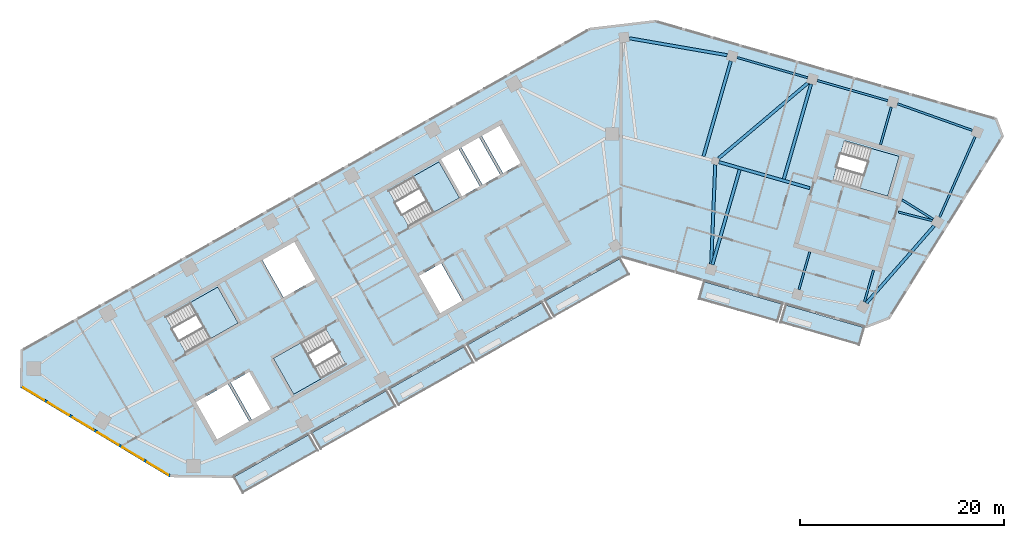
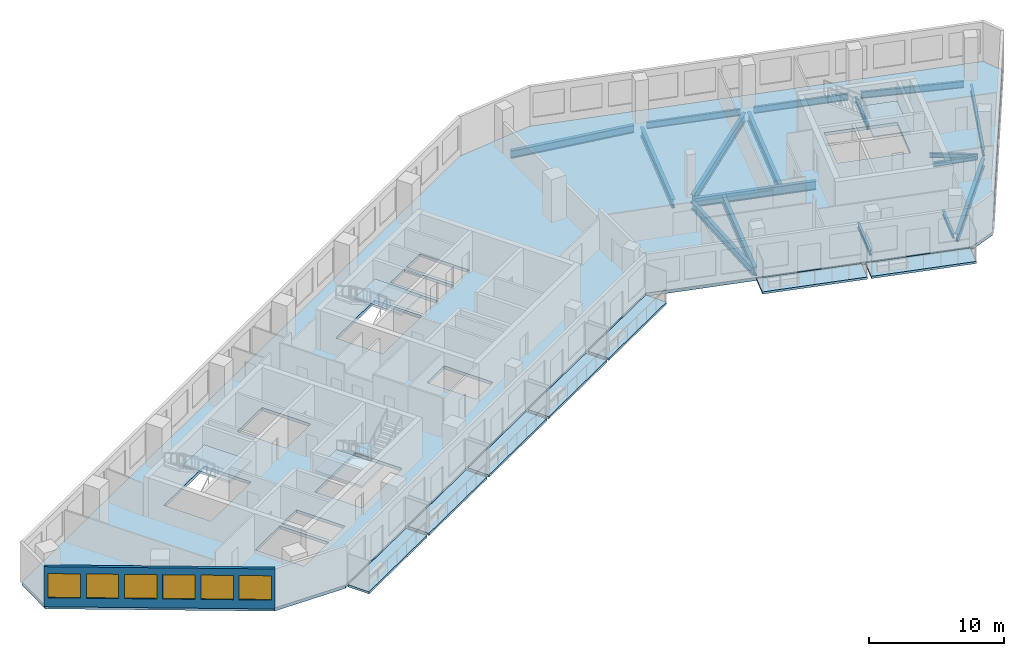
# One storey, part 2 of 11: 17 beams, 12 slabs, 6 windows, 1 wall, 6 openings, 4 elements without a shape of their own.
"""IFC4 building model written with IfcOpenShell, lengths in metres."""

from ifc_helpers import new_model, si_unit, direction, frame, frame_2d, origin, origin_2d, place, context, subcontext, project, spatial, polyline, rectangle, i_section, outline, extrude, material, layer, layer_set, material_profile, profile_set, type_object, element, fill, aggregate, save


model = new_model("IFC4")

# Units and contexts
model_context = context("Model", 3, precision=1e-05, world=origin(), true_north=direction((0.0, 1.0)))
body_context = subcontext(model_context, "Body", "Model", "MODEL_VIEW")
ifc_project = project(units=[si_unit("LENGTHUNIT", "METRE"), si_unit("AREAUNIT", "SQUARE_METRE"), si_unit("VOLUMEUNIT", "CUBIC_METRE"), si_unit("PLANEANGLEUNIT", "RADIAN"), si_unit("MASSUNIT", "GRAM", prefix="KILO")], contexts=[model_context])

# Site, building, storey
site_placement = place(None, origin())
site = spatial("IfcSite", under=ifc_project, at=site_placement, CompositionType="ELEMENT")
building_placement = place(site_placement, origin())
building = spatial("IfcBuilding", under=site, at=building_placement, Name="Binnacle Exchange Tower", CompositionType="ELEMENT")
storey_placement = place(building_placement, frame((0.0, 0.0, 219.199951171875)))
storey = spatial("IfcBuildingStorey", under=building, at=storey_placement, Name="L48", CompositionType="ELEMENT", Elevation=219.199951171875)

# Beams
ifc_material_1 = material(Name="Steel S355 (SHN355)", Category="steel")
ifc_material_profile_1 = material_profile(ifc_material_1, i_section(OverallWidth=0.199951171875, OverallDepth=0.60009765625, WebThickness=0.010986328125, FlangeThickness=0.01708984375, FilletRadius=0.02197265625, at=origin_2d()), Name="H 600x200x11x17")
ifc_profile_set_1 = profile_set([ifc_material_profile_1], Name="Steel S355 (SHN355)")
beam_type_1 = type_object("IfcBeamType", Name="Edge girder H 600x200x11x17 Steel S355 (SHN355)", PredefinedType="SPANDREL", material=ifc_profile_set_1)
beam_1_placement = place(storey_placement, frame((18.265625, 65.513916015625, -0.579833984375), z_axis=(-0.961255050864, 0.275660528891, 0.0), x_axis=(-0.275660528891, -0.961255050864, 0.0)))
element("IfcBeam", 1, at=beam_1_placement, inside=storey, type_object=beam_type_1, Name="S:BM:edge:L48:029", PredefinedType="SPANDREL", context=body_context, shape_type="SweptSolid", body=[
    extrude(i_section(OverallWidth=0.199951171875, OverallDepth=0.60009765625, WebThickness=0.010986328125, FlangeThickness=0.01708984375, FilletRadius=0.02197265625, at=origin_2d()), origin(), (0.0, 0.0, 1.0), 7.1728515625),
])
beam_2_placement = place(storey_placement, frame((26.1220703125, 63.26123046875, -0.579833984375), z_axis=(-0.96126665508, 0.275620060647, 0.0), x_axis=(-0.275620060647, -0.96126665508, 0.0)))
element("IfcBeam", 2, at=beam_2_placement, inside=storey, type_object=beam_type_1, Name="S:BM:edge:L48:031", PredefinedType="SPANDREL", context=body_context, shape_type="SweptSolid", body=[
    extrude(i_section(OverallWidth=0.199951171875, OverallDepth=0.60009765625, WebThickness=0.010986328125, FlangeThickness=0.01708984375, FilletRadius=0.02197265625, at=origin_2d()), origin(), (0.0, 0.0, 1.0), 7.173095703125),
])
ifc_material_profile_2 = material_profile(ifc_material_1, i_section(OverallWidth=0.200927734375, OverallDepth=0.60595703125, WebThickness=0.011962890625, FlangeThickness=0.02001953125, FilletRadius=0.02197265625, at=origin_2d()), Name="H 606x201x12x20")
ifc_profile_set_2 = profile_set([ifc_material_profile_2], Name="Steel S355 (SHN355)")
beam_type_2 = type_object("IfcBeamType", Name="Edge girder H 606x201x12x20 Steel S355 (SHN355)", PredefinedType="SPANDREL", material=ifc_profile_set_2)
beam_3_placement = place(storey_placement, frame((34.3984375, 60.3544921875, -0.5830078125), z_axis=(-0.942323270608, 0.334704128553, 0.0), x_axis=(-0.334704128553, -0.942323270608, 0.0)))
element("IfcBeam", 3, at=beam_3_placement, inside=storey, type_object=beam_type_2, Name="S:BM:edge:L48:033", PredefinedType="SPANDREL", context=body_context, shape_type="SweptSolid", body=[
    extrude(i_section(OverallWidth=0.200927734375, OverallDepth=0.60595703125, WebThickness=0.011962890625, FlangeThickness=0.02001953125, FilletRadius=0.02197265625, at=origin_2d()), origin(), (0.0, 0.0, 1.0), 7.77197265625),
])
ifc_material_profile_3 = material_profile(ifc_material_1, i_section(OverallWidth=0.201904296875, OverallDepth=0.612060546875, WebThickness=0.012939453125, FlangeThickness=0.02294921875, FilletRadius=0.02197265625, at=origin_2d()), Name="H 612x202x13x23")
ifc_profile_set_3 = profile_set([ifc_material_profile_3], Name="Steel S355 (SHN355)")
beam_type_3 = type_object("IfcBeamType", Name="Edge girder H 612x202x13x23 Steel S355 (SHN355)", PredefinedType="SPANDREL", material=ifc_profile_set_3)
beam_4_placement = place(storey_placement, frame((31.193359375, 51.848388671875, -0.5859375), z_axis=(0.403459457176, 0.914997522628, 0.0), x_axis=(-0.914997522628, 0.403459457176, 0.0)))
element("IfcBeam", 4, at=beam_4_placement, inside=storey, type_object=beam_type_3, Name="S:BM:edge:L48:032", PredefinedType="SPANDREL", context=body_context, shape_type="SweptSolid", body=[
    extrude(i_section(OverallWidth=0.201904296875, OverallDepth=0.612060546875, WebThickness=0.012939453125, FlangeThickness=0.02294921875, FilletRadius=0.02197265625, at=origin_2d()), origin(), (0.0, 0.0, 1.0), 8.61328125),
])
ifc_material_profile_4 = material_profile(ifc_material_1, i_section(OverallWidth=0.300048828125, OverallDepth=0.699951171875, WebThickness=0.012939453125, FlangeThickness=0.02392578125, FilletRadius=0.028076171875, at=origin_2d()), Name="H 700x300x13x24")
ifc_profile_set_4 = profile_set([ifc_material_profile_4], Name="Steel S355 (SHN355)")
beam_type_4 = type_object("IfcBeamType", Name="Edge girder H 700x300x13x24 Steel S355 (SHN355)", PredefinedType="SPANDREL", material=ifc_profile_set_4)
beam_5_placement = place(storey_placement, frame((10.39453125, 67.71484375, -0.6298828125), z_axis=(-0.985315512383, 0.170743494921, 0.0), x_axis=(-0.170743494921, -0.985315512383, 0.0)))
element("IfcBeam", 5, at=beam_5_placement, inside=storey, type_object=beam_type_4, Name="S:BM:edge:L48:027", PredefinedType="SPANDREL", context=body_context, shape_type="SweptSolid", body=[
    extrude(i_section(OverallWidth=0.300048828125, OverallDepth=0.699951171875, WebThickness=0.012939453125, FlangeThickness=0.02392578125, FilletRadius=0.028076171875, at=origin_2d()), origin(), (0.0, 0.0, 1.0), 9.72314453125),
])
beam_6_placement = place(storey_placement, frame((24.026123046875, 43.44580078125, -0.6298828125), z_axis=(0.659336218273, 0.751848223562, 0.0), x_axis=(-0.751848223562, 0.659336218273, 0.0)))
element("IfcBeam", 6, at=beam_6_placement, inside=storey, type_object=beam_type_4, Name="S:BM:edge:L48:030", PredefinedType="SPANDREL", context=body_context, shape_type="SweptSolid", body=[
    extrude(i_section(OverallWidth=0.300048828125, OverallDepth=0.699951171875, WebThickness=0.012939453125, FlangeThickness=0.02392578125, FilletRadius=0.028076171875, at=origin_2d()), origin(), (0.0, 0.0, 1.0), 10.0546875),
])
ifc_material_profile_5 = material_profile(ifc_material_1, i_section(OverallWidth=0.199951171875, OverallDepth=0.39990234375, WebThickness=0.008056640625, FlangeThickness=0.012939453125, FilletRadius=0.01611328125, at=origin_2d()), Name="H 400x200x8x13")
ifc_profile_set_5 = profile_set([ifc_material_profile_5], Name="Steel S355 (SHN355)")
beam_type_5 = type_object("IfcBeamType", Name="Floor beam H 400x200x8x13 Steel S355 (SHN355)", PredefinedType="BEAM", material=ifc_profile_set_5)
beam_7_placement = place(storey_placement, frame((23.832275390625, 43.55810546875, -0.47998046875), z_axis=(0.275607869103, 0.961270150628, 0.0), x_axis=(-0.961270150628, 0.275607869103, 0.0)))
element("IfcBeam", 7, at=beam_7_placement, inside=storey, type_object=beam_type_5, Name="S:BM:cross:L48:051", PredefinedType="BEAM", context=body_context, shape_type="SweptSolid", body=[
    extrude(i_section(OverallWidth=0.199951171875, OverallDepth=0.39990234375, WebThickness=0.008056640625, FlangeThickness=0.012939453125, FilletRadius=0.01611328125, at=origin_2d()), origin(), (0.0, 0.0, 1.0), 3.23583984375),
])
beam_8_placement = place(storey_placement, frame((30.5654296875, 51.6513671875, -0.47998046875), z_axis=(-0.848078408173, 0.529870751779, 0.0), x_axis=(-0.529870751779, -0.848078408173, 0.0)))
element("IfcBeam", 8, at=beam_8_placement, inside=storey, type_object=beam_type_5, Name="S:BM:cross:L48:053", PredefinedType="BEAM", context=body_context, shape_type="SweptSolid", body=[
    extrude(i_section(OverallWidth=0.199951171875, OverallDepth=0.39990234375, WebThickness=0.008056640625, FlangeThickness=0.012939453125, FilletRadius=0.01611328125, at=origin_2d()), origin(), (0.0, 0.0, 1.0), 3.59521484375),
])
ifc_material_profile_6 = material_profile(ifc_material_1, i_section(OverallWidth=0.199951171875, OverallDepth=0.449951171875, WebThickness=0.009033203125, FlangeThickness=0.013916015625, FilletRadius=0.01806640625, at=origin_2d()), Name="H 450x200x9x14")
ifc_profile_set_6 = profile_set([ifc_material_profile_6], Name="Steel S355 (SHN355)")
beam_type_6 = type_object("IfcBeamType", Name="Floor beam H 450x200x9x14 Steel S355 (SHN355)", PredefinedType="BEAM", material=ifc_profile_set_6)
for number, where, z_axis, x_axis, name in (
    (9, (17.426025390625, 44.771728515625, -0.5048828125), (0.27564586602, 0.961259255636, 0.0), (-0.961259255636, 0.27564586602, 0.0), "S:BM:cross:L48:049"),
    (10, (26.46484375, 62.642822265625, -0.5048828125), (-0.27564586602, -0.961259255636, 0.0), (0.961259255636, -0.27564586602, 0.0), "S:BM:cross:L48:052"),
):
    element("IfcBeam", number, at=place(storey_placement, frame(where, z_axis=z_axis, x_axis=x_axis)), inside=storey, type_object=beam_type_6, Name=name, PredefinedType="BEAM", context=body_context, shape_type="SweptSolid", body=[
        extrude(i_section(OverallWidth=0.199951171875, OverallDepth=0.449951171875, WebThickness=0.009033203125, FlangeThickness=0.013916015625, FilletRadius=0.01806640625, at=origin_2d()), origin(), (0.0, 0.0, 1.0), 3.835205078125),
    ])
ifc_material_profile_7 = material_profile(ifc_material_1, i_section(OverallWidth=0.300048828125, OverallDepth=0.800048828125, WebThickness=0.013916015625, FlangeThickness=0.02587890625, FilletRadius=0.028076171875, at=origin_2d()), Name="H 800x300x14x26")
ifc_profile_set_7 = profile_set([ifc_material_profile_7], Name="Steel S355 (SHN355)")
beam_type_7 = type_object("IfcBeamType", Name="Floor beam H 800x300x14x26 Steel S355 (SHN355)", PredefinedType="BEAM", material=ifc_profile_set_7)
beam_9_placement = place(storey_placement, frame((8.947265625, 47.202880859375, -0.679931640625), z_axis=(0.275643212873, 0.961260016435, 0.0), x_axis=(-0.961260016435, 0.275643212873, 0.0)))
element("IfcBeam", 11, at=beam_9_placement, inside=storey, type_object=beam_type_7, Name="S:BM:cross:L48:047", PredefinedType="BEAM", context=body_context, shape_type="SweptSolid", body=[
    extrude(i_section(OverallWidth=0.300048828125, OverallDepth=0.800048828125, WebThickness=0.013916015625, FlangeThickness=0.02587890625, FilletRadius=0.028076171875, at=origin_2d()), origin(), (0.0, 0.0, 1.0), 9.685302734375),
])
beam_10_placement = place(storey_placement, frame((10.752197265625, 67.1484375, -0.679931640625), z_axis=(-0.275623948616, -0.96126554029, 0.0), x_axis=(0.96126554029, -0.275623948616, 0.0)))
element("IfcBeam", 12, at=beam_10_placement, inside=storey, type_object=beam_type_7, Name="S:BM:cross:L48:048", PredefinedType="BEAM", context=body_context, shape_type="SweptSolid", body=[
    extrude(i_section(OverallWidth=0.300048828125, OverallDepth=0.800048828125, WebThickness=0.013916015625, FlangeThickness=0.02587890625, FilletRadius=0.028076171875, at=origin_2d()), origin(), (0.0, 0.0, 1.0), 9.71337890625),
])
beam_11_placement = place(storey_placement, frame((18.6083984375, 64.8955078125, -0.679931640625), z_axis=(-0.275626599208, -0.961264780281, 0.0), x_axis=(0.961264780281, -0.275626599208, 0.0)))
element("IfcBeam", 13, at=beam_11_placement, inside=storey, type_object=beam_type_7, Name="S:BM:cross:L48:050", PredefinedType="BEAM", context=body_context, shape_type="SweptSolid", body=[
    extrude(i_section(OverallWidth=0.300048828125, OverallDepth=0.800048828125, WebThickness=0.013916015625, FlangeThickness=0.02587890625, FilletRadius=0.028076171875, at=origin_2d()), origin(), (0.0, 0.0, 1.0), 9.68505859375),
])
ifc_material_profile_8 = material_profile(ifc_material_1, i_section(OverallWidth=0.199951171875, OverallDepth=0.39990234375, WebThickness=0.008056640625, FlangeThickness=0.012939453125, FilletRadius=0.01611328125, at=origin_2d()), Name="H 400x200x8x13")
ifc_profile_set_8 = profile_set([ifc_material_profile_8], Name="Steel S355 (SHN355)")
beam_type_8 = type_object("IfcBeamType", Name="Spine girder H 400x200x8x13 Steel S355 (SHN355)", PredefinedType="BEAM", material=ifc_profile_set_8)
beam_12_placement = place(storey_placement, frame((27.17138671875, 52.35400390625, -0.47998046875), z_axis=(0.969354959992, -0.245664326957, 0.0), x_axis=(0.245664326957, 0.969354959992, 0.0)))
element("IfcBeam", 14, at=beam_12_placement, inside=storey, type_object=beam_type_8, Name="S:BM:spine:L48:010", PredefinedType="BEAM", context=body_context, shape_type="SweptSolid", body=[
    extrude(i_section(OverallWidth=0.199951171875, OverallDepth=0.39990234375, WebThickness=0.008056640625, FlangeThickness=0.012939453125, FilletRadius=0.01611328125, at=origin_2d()), origin(), (0.0, 0.0, 1.0), 3.41357421875),
])
ifc_material_profile_9 = material_profile(ifc_material_1, i_section(OverallWidth=0.300048828125, OverallDepth=0.699951171875, WebThickness=0.012939453125, FlangeThickness=0.02392578125, FilletRadius=0.028076171875, at=origin_2d()), Name="H 700x300x13x24")
ifc_profile_set_9 = profile_set([ifc_material_profile_9], Name="Steel S355 (SHN355)")
beam_type_9 = type_object("IfcBeamType", Name="Spine girder H 700x300x13x24 Steel S355 (SHN355)", PredefinedType="BEAM", material=ifc_profile_set_9)
beam_13_placement = place(storey_placement, frame((9.226318359375, 56.990234375, -0.6298828125), z_axis=(-0.040566314933, -0.999176848257, 0.0), x_axis=(0.999176848257, -0.040566314933, 0.0)))
element("IfcBeam", 15, at=beam_13_placement, inside=storey, type_object=beam_type_9, Name="S:BM:spine:L48:007", PredefinedType="BEAM", context=body_context, shape_type="SweptSolid", body=[
    extrude(i_section(OverallWidth=0.300048828125, OverallDepth=0.699951171875, WebThickness=0.012939453125, FlangeThickness=0.02392578125, FilletRadius=0.028076171875, at=origin_2d()), origin(), (0.0, 0.0, 1.0), 9.76171875),
])
ifc_material_profile_10 = material_profile(ifc_material_1, i_section(OverallWidth=0.300048828125, OverallDepth=0.800048828125, WebThickness=0.013916015625, FlangeThickness=0.02587890625, FilletRadius=0.028076171875, at=origin_2d()), Name="H 800x300x14x26")
ifc_profile_set_10 = profile_set([ifc_material_profile_10], Name="Steel S355 (SHN355)")
beam_type_10 = type_object("IfcBeamType", Name="Spine girder H 800x300x14x26 Steel S355 (SHN355)", PredefinedType="BEAM", material=ifc_profile_set_10)
beam_14_placement = place(storey_placement, frame((9.577392578125, 57.253662109375, -0.679931640625), z_axis=(0.961262936931, -0.275633027924, 0.0), x_axis=(0.275633027924, 0.961262936931, 0.0)))
element("IfcBeam", 16, at=beam_14_placement, inside=storey, type_object=beam_type_10, Name="S:BM:spine:L48:009", PredefinedType="BEAM", context=body_context, shape_type="SweptSolid", body=[
    extrude(i_section(OverallWidth=0.300048828125, OverallDepth=0.800048828125, WebThickness=0.013916015625, FlangeThickness=0.02587890625, FilletRadius=0.028076171875, at=origin_2d()), origin(), (0.0, 0.0, 1.0), 9.26318359375),
])
ifc_material_profile_11 = material_profile(ifc_material_1, i_section(OverallWidth=0.302001953125, OverallDepth=0.80810546875, WebThickness=0.01611328125, FlangeThickness=0.030029296875, FilletRadius=0.028076171875, at=origin_2d()), Name="H 808x302x16x30")
ifc_profile_set_11 = profile_set([ifc_material_profile_11], Name="Steel S355 (SHN355)")
beam_type_11 = type_object("IfcBeamType", Name="Spine girder H 808x302x16x30 Steel S355 (SHN355)", PredefinedType="BEAM", material=ifc_profile_set_11)
beam_15_placement = place(storey_placement, frame((9.562744140625, 57.6220703125, -0.683837890625), z_axis=(0.764068797706, 0.645134770704, 0.0), x_axis=(-0.645134770704, 0.764068797706, 0.0)))
element("IfcBeam", 17, at=beam_15_placement, inside=storey, type_object=beam_type_11, Name="S:BM:spine:L48:008", PredefinedType="BEAM", context=body_context, shape_type="SweptSolid", body=[
    extrude(i_section(OverallWidth=0.302001953125, OverallDepth=0.80810546875, WebThickness=0.01611328125, FlangeThickness=0.030029296875, FilletRadius=0.028076171875, at=origin_2d()), origin(), (0.0, 0.0, 1.0), 11.417236328125),
])

# Slabs
ifc_material_2 = material(Name="Concrete C35/45", Category="concrete")
ifc_layer_1 = layer(ifc_material_2, 0.199951171875)
ifc_layer_set_1 = layer_set([ifc_layer_1], Name="BALCONY SLAB 200")
slab_type_1 = type_object("IfcSlabType", Name="BALCONY SLAB 200", PredefinedType="FLOOR", material=ifc_layer_set_1)
slab_1_placement = place(storey_placement, frame((0.0, 0.0, -0.199951171875)))
element("IfcSlab", 18, at=slab_1_placement, inside=storey, type_object=slab_type_1, Name="Balcony BA-G01-00 L48", PredefinedType="FLOOR", context=body_context, shape_type="SweptSolid", body=[
    extrude(outline(polyline([(-37.90576171875, 26.410400390625), (-30.54736328125, 30.573486328125), (-29.660888671875, 29.0068359375), (-37.019287109375, 24.84375), (-37.90576171875, 26.410400390625)])), origin(), (0.0, 0.0, 1.0), 0.199951171875),
])
slab_2_placement = place(storey_placement, frame((0.0, 0.0, -0.199951171875)))
element("IfcSlab", 19, at=slab_2_placement, inside=storey, type_object=slab_type_1, Name="Balcony BA-G01-01 L48", PredefinedType="FLOOR", context=body_context, shape_type="SweptSolid", body=[
    extrude(outline(polyline([(-30.2861328125, 30.72119140625), (-22.927734375, 34.884521484375), (-22.041259765625, 33.31787109375), (-29.39990234375, 29.15478515625), (-30.2861328125, 30.72119140625)])), origin(), (0.0, 0.0, 1.0), 0.199951171875),
])
slab_3_placement = place(storey_placement, frame((0.0, 0.0, -0.199951171875)))
element("IfcSlab", 20, at=slab_3_placement, inside=storey, type_object=slab_type_1, Name="Balcony BA-G01-02 L48", PredefinedType="FLOOR", context=body_context, shape_type="SweptSolid", body=[
    extrude(outline(polyline([(-22.66650390625, 35.0322265625), (-15.30810546875, 39.195556640625), (-14.421875, 37.62890625), (-21.7802734375, 33.465576171875), (-22.66650390625, 35.0322265625)])), origin(), (0.0, 0.0, 1.0), 0.199951171875),
])
slab_4_placement = place(storey_placement, frame((0.0, 0.0, -0.199951171875)))
element("IfcSlab", 21, at=slab_4_placement, inside=storey, type_object=slab_type_1, Name="Balcony BA-G01-03 L48", PredefinedType="FLOOR", context=body_context, shape_type="SweptSolid", body=[
    extrude(outline(polyline([(-15.047119140625, 39.34326171875), (-7.6884765625, 43.50634765625), (-6.802001953125, 41.939697265625), (-14.16064453125, 37.776611328125), (-15.047119140625, 39.34326171875)])), origin(), (0.0, 0.0, 1.0), 0.199951171875),
])
slab_5_placement = place(storey_placement, frame((0.0, 0.0, -0.199951171875)))
element("IfcSlab", 22, at=slab_5_placement, inside=storey, type_object=slab_type_1, Name="Balcony BA-G01-04 L48", PredefinedType="FLOOR", context=body_context, shape_type="SweptSolid", body=[
    extrude(outline(polyline([(-7.427490234375, 43.654296875), (-0.069091796875, 47.8173828125), (0.8173828125, 46.250732421875), (-6.541015625, 42.08740234375), (-7.427490234375, 43.654296875)])), origin(), (0.0, 0.0, 1.0), 0.199951171875),
])
slab_6_placement = place(storey_placement, frame((0.0, 0.0, -0.199951171875)))
element("IfcSlab", 23, at=slab_6_placement, inside=storey, type_object=slab_type_1, Name="Balcony BA-G02-01 L48", PredefinedType="FLOOR", context=body_context, shape_type="SweptSolid", body=[
    extrude(outline(polyline([(8.10791015625, 45.545166015625), (15.8173828125, 43.33447265625), (15.3212890625, 41.60400390625), (7.61181640625, 43.814697265625), (8.10791015625, 45.545166015625)])), origin(), (0.0, 0.0, 1.0), 0.199951171875),
])
slab_7_placement = place(storey_placement, frame((0.0, 0.0, -0.199951171875)))
element("IfcSlab", 24, at=slab_7_placement, inside=storey, type_object=slab_type_1, Name="Balcony BA-G02-02 L48", PredefinedType="FLOOR", context=body_context, shape_type="SweptSolid", body=[
    extrude(outline(polyline([(16.10595703125, 43.251708984375), (23.815673828125, 41.041015625), (23.319580078125, 39.310791015625), (15.60986328125, 41.521484375), (16.10595703125, 43.251708984375)])), origin(), (0.0, 0.0, 1.0), 0.199951171875),
])
ifc_layer_2 = layer(ifc_material_2, 0.280029296875)
ifc_layer_set_2 = layer_set([ifc_layer_2], Name="Floor slab 280 Concrete C35/45")
slab_type_2 = type_object("IfcSlabType", Name="Floor slab 280 Concrete C35/45", PredefinedType="FLOOR", material=ifc_layer_set_2)
slab_8_placement = place(storey_placement, frame((0.0, 0.0, -0.280029296875)))
element("IfcSlab", 25, at=slab_8_placement, inside=storey, type_object=slab_type_2, Name="S:SL:L48:01", PredefinedType="FLOOR", context=body_context, shape_type="SweptSolid", body=[
    extrude(outline(polyline([(-58.716064453125, 35.280029296875), (-58.669921875, 38.80615234375), (-3.046142578125, 70.276611328125), (3.364501953125, 71.035400390625), (36.71240234375, 61.472900390625), (37.359375, 59.787353515625), (26.23095703125, 41.978515625), (23.994140625, 41.119873046875), (0.0, 48.0), (-38.097900390625, 26.4453125), (-44.14404296875, 26.5244140625), (-58.716064453125, 35.280029296875)]), holes=[polyline([(-38.4794921875, 35.529296875), (-41.61279296875, 33.756591796875), (-39.544677734375, 30.10107421875), (-36.411376953125, 31.873779296875), (-38.4794921875, 35.529296875)]), polyline([(-36.390625, 36.711181640625), (-38.21826171875, 35.677001953125), (-36.150146484375, 32.021484375), (-34.322509765625, 33.0556640625), (-36.390625, 36.711181640625)]), polyline([(-32.04638671875, 34.515625), (-26.9287109375, 37.4111328125), (-28.923095703125, 40.93603515625), (-34.040771484375, 38.04052734375), (-32.04638671875, 34.515625)]), polyline([(-37.486572265625, 41.4912109375), (-39.480712890625, 45.01611328125), (-44.598388671875, 42.12060546875), (-42.604248046875, 38.595703125), (-37.486572265625, 41.4912109375)]), polyline([(-29.914306640625, 45.775390625), (-31.982666015625, 49.430908203125), (-35.115966796875, 47.657958984375), (-33.047607421875, 44.00244140625), (-29.914306640625, 45.775390625)]), polyline([(-17.81689453125, 57.27294921875), (-22.760498046875, 54.47607421875), (-20.76611328125, 50.950927734375), (-15.822509765625, 53.748046875), (-17.81689453125, 57.27294921875)]), polyline([(-15.53076171875, 43.6875), (-17.598876953125, 47.343017578125), (-19.77490234375, 46.11181640625), (-17.70654296875, 42.456298828125), (-15.53076171875, 43.6875)]), polyline([(-13.82080078125, 54.880615234375), (-15.888916015625, 58.5361328125), (-17.629638671875, 57.55126953125), (-15.5615234375, 53.895751953125), (-13.82080078125, 54.880615234375)]), polyline([(27.227783203125, 57.810302734375), (21.864013671875, 59.348388671875), (20.74755859375, 55.455078125), (26.111328125, 53.9169921875), (27.227783203125, 57.810302734375)]), polyline([(-11.819091796875, 56.01318359375), (-13.88720703125, 59.668701171875), (-15.6279296875, 58.683837890625), (-13.559814453125, 55.0283203125), (-11.819091796875, 56.01318359375)]), polyline([(-9.817138671875, 57.145751953125), (-11.885498046875, 60.80126953125), (-13.626220703125, 59.81640625), (-11.557861328125, 56.160888671875), (-9.817138671875, 57.145751953125)])]), origin(), (0.0, 0.0, 1.0), 0.280029296875),
])

# Stair, slab
stair_type = type_object("IfcStairType", Name="STAIR 22 RISERS 177", PredefinedType="HALF_TURN_STAIR", material=ifc_material_2)
stair_1_placement = place(storey_placement, origin())
stair_1 = element("IfcStair", 26, at=stair_1_placement, inside=storey, type_object=stair_type, Name="L48 Escape stair A1", PredefinedType="HALF_TURN_STAIR")
ifc_layer_3 = layer(ifc_material_2, 0.199951171875)
ifc_layer_set_3 = layer_set([ifc_layer_3], Name="STAIR LANDING 200")
slab_type_3 = type_object("IfcSlabType", Name="STAIR LANDING 200", PredefinedType="LANDING", material=ifc_layer_set_3)
slab_9_placement = place(storey_placement, frame((0.0, 0.0, 1.75)))
slab_9 = element("IfcSlab", 27, at=slab_9_placement, type_object=slab_type_3, Name="STA1 landing 1", PredefinedType="LANDING", context=body_context, shape_type="SweptSolid", body=[
    extrude(outline(polyline([(-40.2021484375, 39.954833984375), (-37.486572265625, 41.4912109375), (-39.48095703125, 45.01611328125), (-42.1962890625, 43.479736328125), (-40.2021484375, 39.954833984375)])), origin(), (0.0, 0.0, 1.0), 0.199951171875),
])
aggregate(stair_1, [slab_9])

stair_2_placement = place(storey_placement, origin())
stair_2 = element("IfcStair", 28, at=stair_2_placement, inside=storey, type_object=stair_type, Name="L48 Escape stair A2", PredefinedType="HALF_TURN_STAIR")
slab_10_placement = place(storey_placement, frame((0.0, 0.0, 1.75)))
slab_10 = element("IfcSlab", 29, at=slab_10_placement, type_object=slab_type_3, Name="STA2 landing 1", PredefinedType="LANDING", context=body_context, shape_type="SweptSolid", body=[
    extrude(outline(polyline([(-31.3251953125, 39.576904296875), (-34.040771484375, 38.04052734375), (-32.04638671875, 34.515625), (-29.330810546875, 36.052001953125), (-31.3251953125, 39.576904296875)])), origin(), (0.0, 0.0, 1.0), 0.199951171875),
])
aggregate(stair_2, [slab_10])

stair_3_placement = place(storey_placement, origin())
stair_3 = element("IfcStair", 30, at=stair_3_placement, inside=storey, type_object=stair_type, Name="L48 Escape stair C1", PredefinedType="HALF_TURN_STAIR")
slab_11_placement = place(storey_placement, frame((0.0, 0.0, 1.75)))
slab_11 = element("IfcSlab", 31, at=slab_11_placement, type_object=slab_type_3, Name="STC1 landing 1", PredefinedType="LANDING", context=body_context, shape_type="SweptSolid", body=[
    extrude(outline(polyline([(-18.364013671875, 52.31005859375), (-15.822509765625, 53.748046875), (-17.81689453125, 57.27294921875), (-20.3583984375, 55.8349609375), (-18.364013671875, 52.31005859375)])), origin(), (0.0, 0.0, 1.0), 0.199951171875),
])
aggregate(stair_3, [slab_11])

stair_4_placement = place(storey_placement, origin())
stair_4 = element("IfcStair", 32, at=stair_4_placement, inside=storey, type_object=stair_type, Name="L48 Escape stair D1", PredefinedType="HALF_TURN_STAIR")
slab_12_placement = place(storey_placement, frame((0.0, 0.0, 1.75)))
slab_12 = element("IfcSlab", 33, at=slab_12_placement, type_object=slab_type_3, Name="STD1 landing 1", PredefinedType="LANDING", context=body_context, shape_type="SweptSolid", body=[
    extrude(outline(polyline([(23.400634765625, 54.6943359375), (26.111328125, 53.917236328125), (27.227783203125, 57.810302734375), (24.516845703125, 58.587646484375), (23.400634765625, 54.6943359375)])), origin(), (0.0, 0.0, 1.0), 0.199951171875),
])
aggregate(stair_4, [slab_12])

# Wall, openings, windows
ifc_material_3 = material(Name="Bronze aluminium cladding", Category="aluminium")
ifc_layer_4 = layer(ifc_material_3, 0.25)
ifc_layer_set_4 = layer_set([ifc_layer_4], Name="External wall - window wall 250")
wall_type = type_object("IfcWallType", Name="External wall - window wall 250", PredefinedType="STANDARD", material=ifc_layer_set_4)
wall_placement = place(storey_placement, frame((-44.115234375, 26.507080078125, 0.0), z_axis=(0.0, 0.0, 1.0), x_axis=(-0.857166583633, 0.515039268311, 0.0)))
wall = element("IfcWall", 34, at=wall_placement, inside=storey, type_object=wall_type, Name="External wall EW-G10 L48", PredefinedType="STANDARD", context=body_context, shape_type="SweptSolid", body=[
    extrude(rectangle(XDim=17.105712890625, YDim=0.25, at=frame_2d((8.552734375, 0.0))), origin(), (0.0, 0.0, 1.0), 3.6201171875),
])
opening_1_placement = place(wall_placement, frame((14.4169921875, 0.0, 0.800048828125)))
opening_1 = element("IfcOpeningElement", 35, at=opening_1_placement, cuts=wall, Name="Opening WR1", PredefinedType="OPENING", context=body_context, shape_type="SweptSolid", body=[
    extrude(rectangle(XDim=2.39990234375, YDim=2.199951171875, at=frame_2d((1.199951171875, 1.10009765625))), frame((0.0, 0.135009765625, 0.0), z_axis=(0.0, -1.0, 0.0), x_axis=(1.0, 0.0, 0.0)), (0.0, 0.0, 1.0), 0.27001953125),
])
opening_2_placement = place(wall_placement, frame((11.583740234375, 0.0, 0.800048828125)))
opening_2 = element("IfcOpeningElement", 36, at=opening_2_placement, cuts=wall, Name="Opening WR1", PredefinedType="OPENING", context=body_context, shape_type="SweptSolid", body=[
    extrude(rectangle(XDim=2.39990234375, YDim=2.199951171875, at=frame_2d((1.199951171875, 1.10009765625))), frame((0.0, 0.135009765625, 0.0), z_axis=(0.0, -1.0, 0.0), x_axis=(1.0, 0.0, 0.0)), (0.0, 0.0, 1.0), 0.27001953125),
])
opening_3_placement = place(wall_placement, frame((8.75048828125, 0.0, 0.800048828125)))
opening_3 = element("IfcOpeningElement", 37, at=opening_3_placement, cuts=wall, Name="Opening WR1", PredefinedType="OPENING", context=body_context, shape_type="SweptSolid", body=[
    extrude(rectangle(XDim=2.39990234375, YDim=2.199951171875, at=frame_2d((1.199951171875, 1.10009765625))), frame((0.0, 0.135009765625, 0.0), z_axis=(0.0, -1.0, 0.0), x_axis=(1.0, 0.0, 0.0)), (0.0, 0.0, 1.0), 0.27001953125),
])
opening_4_placement = place(wall_placement, frame((5.9169921875, 0.0, 0.800048828125)))
opening_4 = element("IfcOpeningElement", 38, at=opening_4_placement, cuts=wall, Name="Opening WR1", PredefinedType="OPENING", context=body_context, shape_type="SweptSolid", body=[
    extrude(rectangle(XDim=2.39990234375, YDim=2.199951171875, at=frame_2d((1.199951171875, 1.10009765625))), frame((0.0, 0.135009765625, 0.0), z_axis=(0.0, -1.0, 0.0), x_axis=(1.0, 0.0, 0.0)), (0.0, 0.0, 1.0), 0.27001953125),
])
opening_5_placement = place(wall_placement, frame((3.083740234375, 0.0, 0.800048828125)))
opening_5 = element("IfcOpeningElement", 39, at=opening_5_placement, cuts=wall, Name="Opening WR1", PredefinedType="OPENING", context=body_context, shape_type="SweptSolid", body=[
    extrude(rectangle(XDim=2.39990234375, YDim=2.199951171875, at=frame_2d((1.199951171875, 1.10009765625))), frame((0.0, 0.135009765625, 0.0), z_axis=(0.0, -1.0, 0.0), x_axis=(1.0, 0.0, 0.0)), (0.0, 0.0, 1.0), 0.27001953125),
])
opening_6_placement = place(wall_placement, frame((0.25048828125, 0.0, 0.800048828125)))
opening_6 = element("IfcOpeningElement", 40, at=opening_6_placement, cuts=wall, Name="Opening WR1", PredefinedType="OPENING", context=body_context, shape_type="SweptSolid", body=[
    extrude(rectangle(XDim=2.39990234375, YDim=2.199951171875, at=frame_2d((1.199951171875, 1.10009765625))), frame((0.0, 0.135009765625, 0.0), z_axis=(0.0, -1.0, 0.0), x_axis=(1.0, 0.0, 0.0)), (0.0, 0.0, 1.0), 0.27001953125),
])
ifc_material_4 = material(Name="Bronze anodised aluminium frame", Category="aluminium")
window_type = type_object("IfcWindowType", Name="WR1 WINDOW 2400x2200", PartitioningType="SINGLE_PANEL", PredefinedType="WINDOW", material=ifc_material_4)
window_1_placement = place(opening_1_placement, origin())
window_1 = element("IfcWindow", 41, at=window_1_placement, inside=storey, type_object=window_type, Name="Window WR1 L48", OverallHeight=2.199951171875, OverallWidth=2.39990234375, PartitioningType="SINGLE_PANEL", PredefinedType="WINDOW", context=body_context, shape_type="SweptSolid", body=[
    extrude(rectangle(XDim=2.39990234375, YDim=2.199951171875, at=frame_2d((1.199951171875, 1.10009765625))), frame((0.0, 0.030029296875, 0.0), z_axis=(0.0, -1.0, 0.0), x_axis=(1.0, 0.0, 0.0)), (0.0, 0.0, 1.0), 0.06005859375),
])
fill(opening_1, window_1)
window_2_placement = place(opening_2_placement, origin())
window_2 = element("IfcWindow", 42, at=window_2_placement, inside=storey, type_object=window_type, Name="Window WR1 L48", OverallHeight=2.199951171875, OverallWidth=2.39990234375, PartitioningType="SINGLE_PANEL", PredefinedType="WINDOW", context=body_context, shape_type="SweptSolid", body=[
    extrude(rectangle(XDim=2.39990234375, YDim=2.199951171875, at=frame_2d((1.199951171875, 1.10009765625))), frame((0.0, 0.030029296875, 0.0), z_axis=(0.0, -1.0, 0.0), x_axis=(1.0, 0.0, 0.0)), (0.0, 0.0, 1.0), 0.06005859375),
])
fill(opening_2, window_2)
window_3_placement = place(opening_3_placement, origin())
window_3 = element("IfcWindow", 43, at=window_3_placement, inside=storey, type_object=window_type, Name="Window WR1 L48", OverallHeight=2.199951171875, OverallWidth=2.39990234375, PartitioningType="SINGLE_PANEL", PredefinedType="WINDOW", context=body_context, shape_type="SweptSolid", body=[
    extrude(rectangle(XDim=2.39990234375, YDim=2.199951171875, at=frame_2d((1.199951171875, 1.10009765625))), frame((0.0, 0.030029296875, 0.0), z_axis=(0.0, -1.0, 0.0), x_axis=(1.0, 0.0, 0.0)), (0.0, 0.0, 1.0), 0.06005859375),
])
fill(opening_3, window_3)
window_4_placement = place(opening_4_placement, origin())
window_4 = element("IfcWindow", 44, at=window_4_placement, inside=storey, type_object=window_type, Name="Window WR1 L48", OverallHeight=2.199951171875, OverallWidth=2.39990234375, PartitioningType="SINGLE_PANEL", PredefinedType="WINDOW", context=body_context, shape_type="SweptSolid", body=[
    extrude(rectangle(XDim=2.39990234375, YDim=2.199951171875, at=frame_2d((1.199951171875, 1.10009765625))), frame((0.0, 0.030029296875, 0.0), z_axis=(0.0, -1.0, 0.0), x_axis=(1.0, 0.0, 0.0)), (0.0, 0.0, 1.0), 0.06005859375),
])
fill(opening_4, window_4)
window_5_placement = place(opening_5_placement, origin())
window_5 = element("IfcWindow", 45, at=window_5_placement, inside=storey, type_object=window_type, Name="Window WR1 L48", OverallHeight=2.199951171875, OverallWidth=2.39990234375, PartitioningType="SINGLE_PANEL", PredefinedType="WINDOW", context=body_context, shape_type="SweptSolid", body=[
    extrude(rectangle(XDim=2.39990234375, YDim=2.199951171875, at=frame_2d((1.199951171875, 1.10009765625))), frame((0.0, 0.030029296875, 0.0), z_axis=(0.0, -1.0, 0.0), x_axis=(1.0, 0.0, 0.0)), (0.0, 0.0, 1.0), 0.06005859375),
])
fill(opening_5, window_5)
window_6_placement = place(opening_6_placement, origin())
window_6 = element("IfcWindow", 46, at=window_6_placement, inside=storey, type_object=window_type, Name="Window WR1 L48", OverallHeight=2.199951171875, OverallWidth=2.39990234375, PartitioningType="SINGLE_PANEL", PredefinedType="WINDOW", context=body_context, shape_type="SweptSolid", body=[
    extrude(rectangle(XDim=2.39990234375, YDim=2.199951171875, at=frame_2d((1.199951171875, 1.10009765625))), frame((0.0, 0.030029296875, 0.0), z_axis=(0.0, -1.0, 0.0), x_axis=(1.0, 0.0, 0.0)), (0.0, 0.0, 1.0), 0.06005859375),
])
fill(opening_6, window_6)

save(model, "model.ifc")
